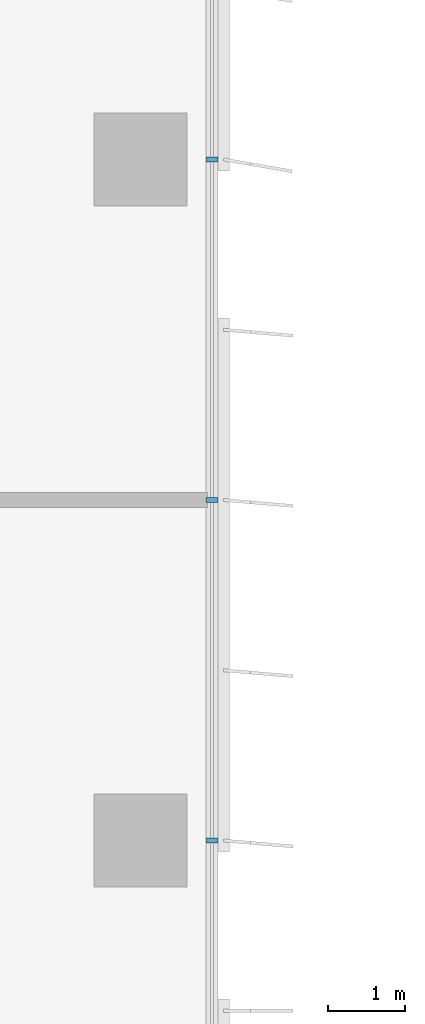
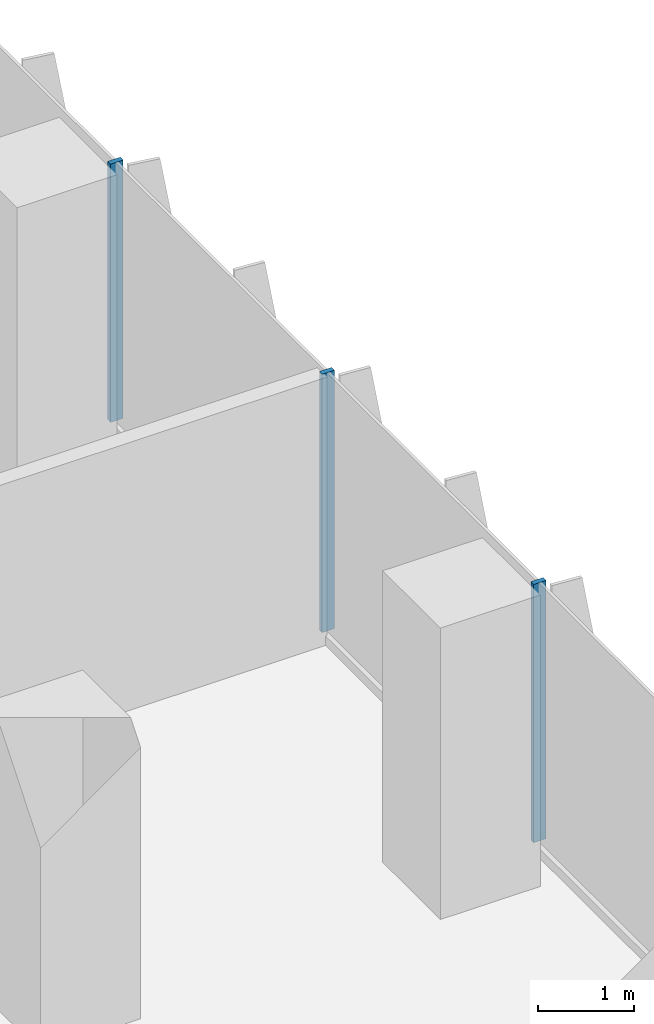
# One storey, part 7 of 22: 3 members, 1 element without a shape of its own.
"""IFC4 building model written with IfcOpenShell, lengths in metres."""

from ifc_helpers import new_model, si_unit, direction, frame, origin, origin_2d, place, context, subcontext, project, spatial, rectangle, extrude, source, transform, mapped, material, material_profile, profile_set, type_object, element, aggregate, save


model = new_model("IFC4")

# Units and contexts
model_context = context("Model", 3, precision=1e-05, world=origin(), true_north=direction((0.0, 1.0)))
body_context = subcontext(model_context, "Body", "Model", "MODEL_VIEW")
ifc_project = project(units=[si_unit("LENGTHUNIT", "METRE"), si_unit("AREAUNIT", "SQUARE_METRE"), si_unit("VOLUMEUNIT", "CUBIC_METRE"), si_unit("PLANEANGLEUNIT", "RADIAN"), si_unit("MASSUNIT", "GRAM", prefix="KILO")], contexts=[model_context])

# Site, building, storey
site_placement = place(None, origin())
site = spatial("IfcSite", under=ifc_project, at=site_placement, CompositionType="ELEMENT")
building_placement = place(site_placement, origin())
building = spatial("IfcBuilding", under=site, at=building_placement, Name="Kemantara Hotel Tower", CompositionType="ELEMENT")
storey_placement = place(building_placement, frame((0.0, 0.0, 145.699951171875)))
storey = spatial("IfcBuildingStorey", under=building, at=storey_placement, Name="L35", CompositionType="ELEMENT", Elevation=145.699951171875)

# Curtain wall, members
ifc_material_1 = material(Name="Low-E tinted double insulated glass 36 mm", Category="glass")
curtain_wall_type = type_object("IfcCurtainWallType", Name="TOWER CURTAIN WALL, FRONT FACES", PredefinedType="USERDEFINED", material=ifc_material_1)
curtain_wall_placement = place(storey_placement, origin())
curtain_wall = element("IfcCurtainWall", 1, at=curtain_wall_placement, inside=storey, type_object=curtain_wall_type, Name="CW4 L35 T2-R14-1", ObjectType="TOWER CURTAIN WALL, FRONT FACES", PredefinedType="USERDEFINED")
ifc_material_2 = material(Name="Aluminium 6063-T6 bronze anodised", Category="aluminium")
ifc_material_profile = material_profile(ifc_material_2, rectangle(XDim=0.14990234375, YDim=0.06005859375, at=origin_2d()), Name="TOWER CURTAIN WALL, FRONT FACES MULLION")
ifc_profile_set = profile_set([ifc_material_profile], Name="Aluminium 6063-T6 bronze anodised")
member_type = type_object("IfcMemberType", Name="TOWER CURTAIN WALL, FRONT FACES MULLION", PredefinedType="MULLION", material=ifc_profile_set)
shared_shape = source(origin(), body_context, "Body", "SweptSolid", [
    extrude(rectangle(XDim=0.14990234375, YDim=0.06005859375, at=origin_2d()), origin(), (0.0, 0.0, 1.0), 3.280029296875),
])
member_1_placement = place(storey_placement, frame((26.72509765625, 53.800048828125, 0.1201171875), z_axis=(0.0, 0.0, 1.0), x_axis=(-1.0, 0.0, 0.0)))
member_1 = element("IfcMember", 2, at=member_1_placement, type_object=member_type, Name="CW4 mullion T2-R14-1.9", PredefinedType="MULLION", context=body_context, shape_type="MappedRepresentation", body=[
    mapped(shared_shape, transform((0.0, 0.0, 0.0))),
])
member_2_placement = place(storey_placement, frame((26.72509765625, 58.199951171875, 0.1201171875), z_axis=(0.0, 0.0, 1.0), x_axis=(-1.0, 0.0, 0.0)))
member_2 = element("IfcMember", 3, at=member_2_placement, type_object=member_type, Name="CW4 mullion T2-R14-1.10", PredefinedType="MULLION", context=body_context, shape_type="MappedRepresentation", body=[
    mapped(shared_shape, transform((0.0, 0.0, 0.0))),
])
member_3_placement = place(storey_placement, frame((26.72509765625, 62.60009765625, 0.1201171875), z_axis=(0.0, 0.0, 1.0), x_axis=(-1.0, 0.0, 0.0)))
member_3 = element("IfcMember", 4, at=member_3_placement, type_object=member_type, Name="CW4 mullion T2-R14-1.11", PredefinedType="MULLION", context=body_context, shape_type="MappedRepresentation", body=[
    mapped(shared_shape, transform((0.0, 0.0, 0.0))),
])
aggregate(curtain_wall, [member_1, member_2, member_3])

save(model, "model.ifc")
